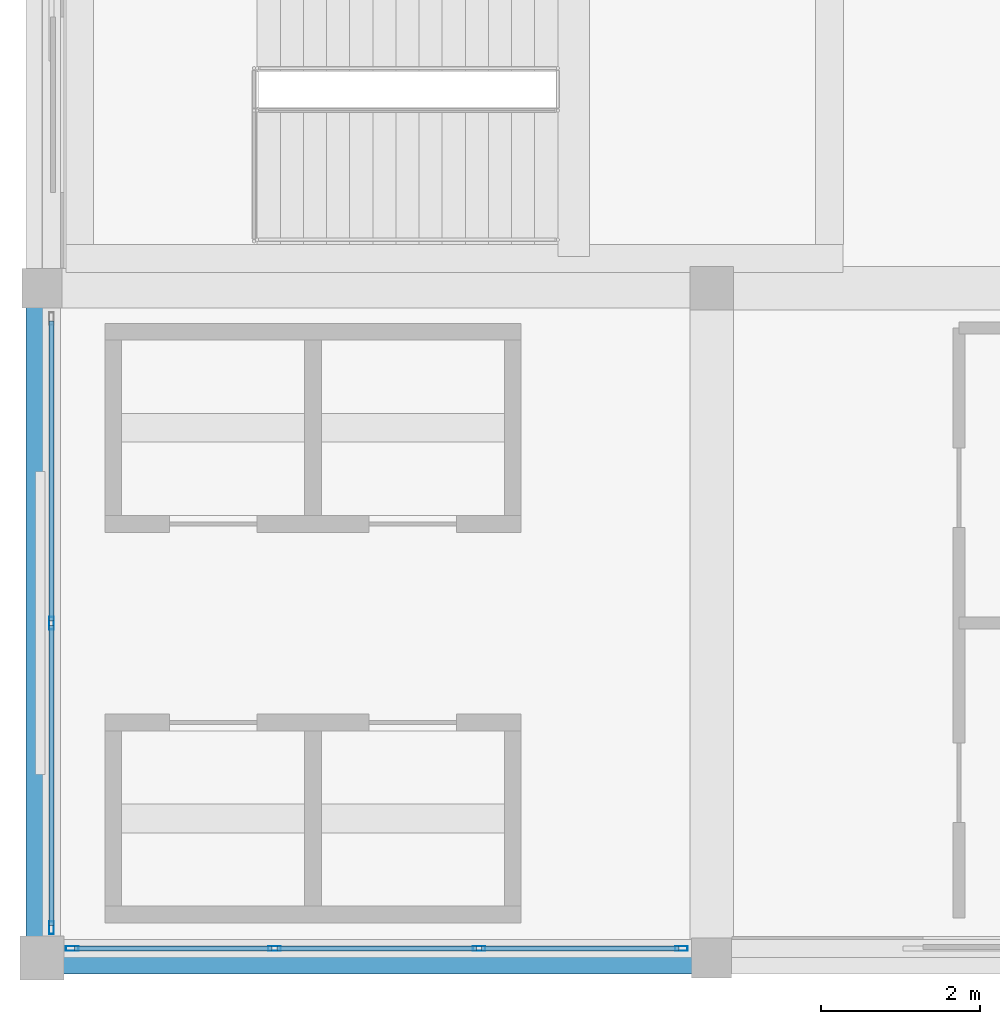
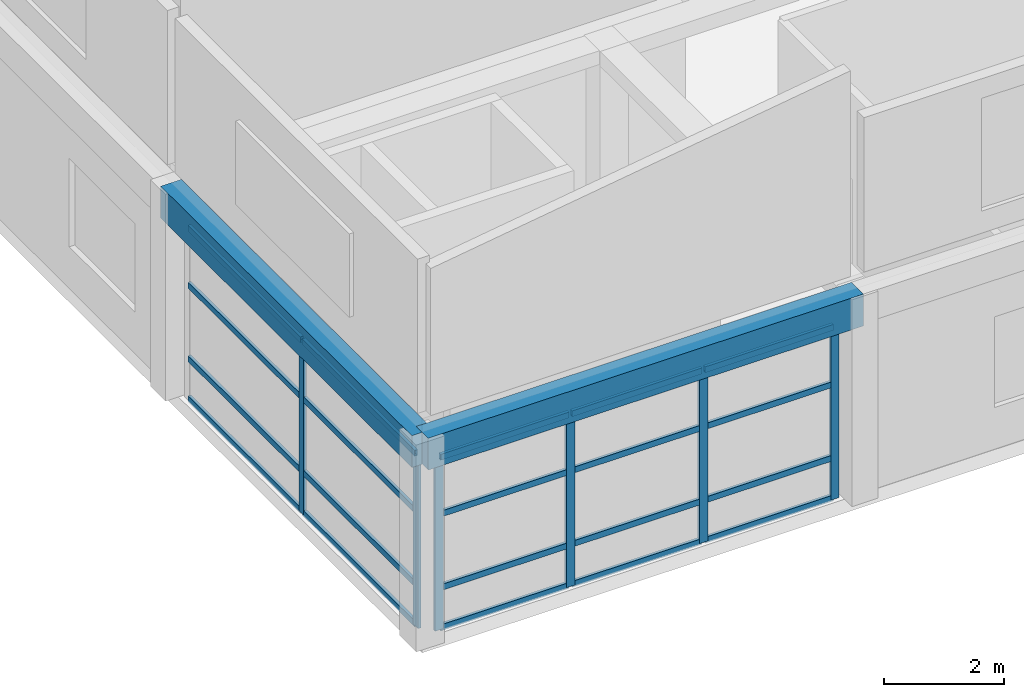
# One storey, part 2 of 17: 26 members, 2 beams, 2 elements without a shape of their own.
"""IFC4 building model written with IfcOpenShell, lengths in metres."""

from ifc_helpers import new_model, si_unit, direction, frame, origin, origin_2d, place, context, subcontext, project, spatial, rectangle, hollow_rectangle, extrude, material, material_profile, profile_set, type_object, element, aggregate, save


model = new_model("IFC4")

# Units and contexts
model_context = context("Model", 3, precision=1e-05, world=origin(), true_north=direction((0.0, 1.0)))
body_context = subcontext(model_context, "Body", "Model", "MODEL_VIEW")
ifc_project = project(units=[si_unit("LENGTHUNIT", "METRE"), si_unit("AREAUNIT", "SQUARE_METRE"), si_unit("VOLUMEUNIT", "CUBIC_METRE"), si_unit("PLANEANGLEUNIT", "RADIAN"), si_unit("MASSUNIT", "GRAM", prefix="KILO")], contexts=[model_context])

# Site, building, storey
site_placement = place(None, origin())
site = spatial("IfcSite", under=ifc_project, at=site_placement, CompositionType="ELEMENT")
building_placement = place(site_placement, origin())
building = spatial("IfcBuilding", under=site, at=building_placement, Name="Almacenes y Pasaje Nevantli", CompositionType="ELEMENT")
storey_placement = place(building_placement, frame((0.0, 0.0, 66.699951171875)))
storey = spatial("IfcBuildingStorey", under=building, at=storey_placement, Name="L16", CompositionType="ELEMENT", Elevation=66.699951171875)

# Beams
ifc_material_1 = material(Name="Concrete C35/45", Category="concrete")
ifc_material_profile_1 = material_profile(ifc_material_1, rectangle(XDim=0.39990234375, YDim=0.64990234375, at=origin_2d()), Name="RC-BM-400x650")
ifc_profile_set_1 = profile_set([ifc_material_profile_1], Name="Concrete C35/45")
beam_type = type_object("IfcBeamType", Name="BM-RC-400x650", PredefinedType="SPANDREL", material=ifc_profile_set_1)
beam_1_placement = place(storey_placement, frame((117.60009765625, 67.199951171875, 3.89501953125), z_axis=(1.0, 0.0, 0.0), x_axis=(0.0, 1.0, 0.0)))
element("IfcBeam", 1, at=beam_1_placement, inside=storey, type_object=beam_type, Name="L16 East-West Reinforced Concrete Beam #4043", PredefinedType="SPANDREL", context=body_context, shape_type="SweptSolid", body=[
    extrude(rectangle(XDim=0.39990234375, YDim=0.64990234375, at=origin_2d()), origin(), (0.0, 0.0, 1.0), 8.39990234375),
])
beam_2_placement = place(storey_placement, frame((117.60009765625, 67.199951171875, 3.89501953125), z_axis=(0.0, 1.0, 0.0), x_axis=(-1.0, 0.0, 0.0)))
element("IfcBeam", 2, at=beam_2_placement, inside=storey, type_object=beam_type, Name="L16 North-South Reinforced Concrete Beam #4055", PredefinedType="SPANDREL", context=body_context, shape_type="SweptSolid", body=[
    extrude(rectangle(XDim=0.39990234375, YDim=0.64990234375, at=origin_2d()), origin(), (0.0, 0.0, 1.0), 8.400146484375),
])

# Curtain wall, members
ifc_material_2 = material(Name="Thermally Broken Aluminium and Low-E Glass", Category="aluminium")
curtain_wall_type = type_object("IfcCurtainWallType", Name="CW-UNIT-TOWER", PredefinedType="USERDEFINED", material=ifc_material_2)
curtain_wall_1_placement = place(storey_placement, origin())
curtain_wall_1 = element("IfcCurtainWall", 3, at=curtain_wall_1_placement, inside=storey, type_object=curtain_wall_type, Name="L16 Tower South Unitized Curtain Wall Bay 15", ObjectType="UNITIZED CURTAIN WALL", PredefinedType="USERDEFINED")
ifc_material_3 = material(Name="Thermally Broken Anodized Aluminium", Category="aluminium")
ifc_material_profile_2 = material_profile(ifc_material_3, hollow_rectangle(XDim=0.06005859375, YDim=0.159912109375, WallThickness=0.00390625, at=origin_2d()), Name="ALU-MUL-60x160")
ifc_profile_set_2 = profile_set([ifc_material_profile_2], Name="Thermally Broken Anodized Aluminium")
member_type_1 = type_object("IfcMemberType", Name="CW-MUL-180", PredefinedType="MULLION", material=ifc_profile_set_2)
member_1_placement = place(storey_placement, frame((117.97998046875, 67.320068359375, 0.0), z_axis=(0.0, 0.0, 1.0), x_axis=(0.0, 1.0, 0.0)))
member_1 = element("IfcMember", 4, at=member_1_placement, type_object=member_type_1, Name="CW-L16-191 mullion 1", PredefinedType="MULLION", context=body_context, shape_type="SweptSolid", body=[
    extrude(hollow_rectangle(XDim=0.06005859375, YDim=0.159912109375, WallThickness=0.00390625, at=origin_2d()), origin(), (0.0, 0.0, 1.0), 3.5400390625),
])
member_2_placement = place(storey_placement, frame((120.5166015625, 67.320068359375, 0.0), z_axis=(0.0, 0.0, 1.0), x_axis=(0.0, 1.0, 0.0)))
member_2 = element("IfcMember", 5, at=member_2_placement, type_object=member_type_1, Name="CW-L16-191 mullion 2", PredefinedType="MULLION", context=body_context, shape_type="SweptSolid", body=[
    extrude(hollow_rectangle(XDim=0.06005859375, YDim=0.159912109375, WallThickness=0.00390625, at=origin_2d()), origin(), (0.0, 0.0, 1.0), 3.5400390625),
])
member_3_placement = place(storey_placement, frame((123.083251953125, 67.320068359375, 0.0), z_axis=(0.0, 0.0, 1.0), x_axis=(0.0, 1.0, 0.0)))
member_3 = element("IfcMember", 6, at=member_3_placement, type_object=member_type_1, Name="CW-L16-191 mullion 3", PredefinedType="MULLION", context=body_context, shape_type="SweptSolid", body=[
    extrude(hollow_rectangle(XDim=0.06005859375, YDim=0.159912109375, WallThickness=0.00390625, at=origin_2d()), origin(), (0.0, 0.0, 1.0), 3.5400390625),
])
member_4_placement = place(storey_placement, frame((125.6201171875, 67.320068359375, 0.0), z_axis=(0.0, 0.0, 1.0), x_axis=(0.0, 1.0, 0.0)))
member_4 = element("IfcMember", 7, at=member_4_placement, type_object=member_type_1, Name="CW-L16-191 mullion 4", PredefinedType="MULLION", context=body_context, shape_type="SweptSolid", body=[
    extrude(hollow_rectangle(XDim=0.06005859375, YDim=0.159912109375, WallThickness=0.00390625, at=origin_2d()), origin(), (0.0, 0.0, 1.0), 3.5400390625),
])

curtain_wall_2_placement = place(storey_placement, origin())
curtain_wall_2 = element("IfcCurtainWall", 8, at=curtain_wall_2_placement, inside=storey, type_object=curtain_wall_type, Name="L16 Tower West Curtain Wall Bay 9", ObjectType="UNITIZED CURTAIN WALL", PredefinedType="USERDEFINED")
member_5_placement = place(storey_placement, frame((117.719970703125, 67.580078125, 0.0), z_axis=(0.0, 0.0, 1.0), x_axis=(-1.0, 0.0, 0.0)))
member_5 = element("IfcMember", 9, at=member_5_placement, type_object=member_type_1, Name="CW-L16-194 mullion 1", PredefinedType="MULLION", context=body_context, shape_type="SweptSolid", body=[
    extrude(hollow_rectangle(XDim=0.06005859375, YDim=0.159912109375, WallThickness=0.00390625, at=origin_2d()), origin(), (0.0, 0.0, 1.0), 3.5400390625),
])
member_6_placement = place(storey_placement, frame((117.719970703125, 71.39990234375, 0.0), z_axis=(0.0, 0.0, 1.0), x_axis=(-1.0, 0.0, 0.0)))
member_6 = element("IfcMember", 10, at=member_6_placement, type_object=member_type_1, Name="CW-L16-194 mullion 2", PredefinedType="MULLION", context=body_context, shape_type="SweptSolid", body=[
    extrude(hollow_rectangle(XDim=0.06005859375, YDim=0.159912109375, WallThickness=0.00390625, at=origin_2d()), origin(), (0.0, 0.0, 1.0), 3.5400390625),
])

# Member
ifc_material_4 = material(Name="Thermally Broken Anodized Aluminium", Category="aluminium")
ifc_material_profile_3 = material_profile(ifc_material_4, hollow_rectangle(XDim=0.06005859375, YDim=0.1201171875, WallThickness=0.00341796875, at=origin_2d()), Name="ALU-TRN-60x120")
ifc_profile_set_3 = profile_set([ifc_material_profile_3], Name="Thermally Broken Anodized Aluminium")
member_type_2 = type_object("IfcMemberType", Name="CW-TRN-130", PredefinedType="USERDEFINED", material=ifc_profile_set_3)
member_7_placement = place(storey_placement, frame((118.010009765625, 67.320068359375, 0.030029296875), z_axis=(1.0, 0.0, 0.0), x_axis=(0.0, 1.0, 0.0)))
member_7 = element("IfcMember", 11, at=member_7_placement, type_object=member_type_2, Name="CW-L16-191 transom 1.1", ObjectType="TRANSOM", PredefinedType="USERDEFINED", context=body_context, shape_type="SweptSolid", body=[
    extrude(hollow_rectangle(XDim=0.06005859375, YDim=0.1201171875, WallThickness=0.00341796875, at=origin_2d()), origin(), (0.0, 0.0, 1.0), 2.4765625),
])

member_8_placement = place(storey_placement, frame((118.010009765625, 67.320068359375, 0.85009765625), z_axis=(1.0, 0.0, 0.0), x_axis=(0.0, 1.0, 0.0)))
member_8 = element("IfcMember", 12, at=member_8_placement, type_object=member_type_2, Name="CW-L16-191 transom 1.2", ObjectType="TRANSOM", PredefinedType="USERDEFINED", context=body_context, shape_type="SweptSolid", body=[
    extrude(hollow_rectangle(XDim=0.06005859375, YDim=0.1201171875, WallThickness=0.00341796875, at=origin_2d()), origin(), (0.0, 0.0, 1.0), 2.4765625),
])

member_9_placement = place(storey_placement, frame((118.010009765625, 67.320068359375, 2.35009765625), z_axis=(1.0, 0.0, 0.0), x_axis=(0.0, 1.0, 0.0)))
member_9 = element("IfcMember", 13, at=member_9_placement, type_object=member_type_2, Name="CW-L16-191 transom 1.3", ObjectType="TRANSOM", PredefinedType="USERDEFINED", context=body_context, shape_type="SweptSolid", body=[
    extrude(hollow_rectangle(XDim=0.06005859375, YDim=0.1201171875, WallThickness=0.00341796875, at=origin_2d()), origin(), (0.0, 0.0, 1.0), 2.4765625),
])

member_10_placement = place(storey_placement, frame((118.010009765625, 67.320068359375, 3.510009765625), z_axis=(1.0, 0.0, 0.0), x_axis=(0.0, 1.0, 0.0)))
member_10 = element("IfcMember", 14, at=member_10_placement, type_object=member_type_2, Name="CW-L16-191 transom 1.4", ObjectType="TRANSOM", PredefinedType="USERDEFINED", context=body_context, shape_type="SweptSolid", body=[
    extrude(hollow_rectangle(XDim=0.06005859375, YDim=0.1201171875, WallThickness=0.00341796875, at=origin_2d()), origin(), (0.0, 0.0, 1.0), 2.4765625),
])

member_11_placement = place(storey_placement, frame((120.546630859375, 67.320068359375, 0.030029296875), z_axis=(1.0, 0.0, 0.0), x_axis=(0.0, 1.0, 0.0)))
member_11 = element("IfcMember", 15, at=member_11_placement, type_object=member_type_2, Name="CW-L16-191 transom 2.1", ObjectType="TRANSOM", PredefinedType="USERDEFINED", context=body_context, shape_type="SweptSolid", body=[
    extrude(hollow_rectangle(XDim=0.06005859375, YDim=0.1201171875, WallThickness=0.00341796875, at=origin_2d()), origin(), (0.0, 0.0, 1.0), 2.506591796875),
])

member_12_placement = place(storey_placement, frame((120.546630859375, 67.320068359375, 0.85009765625), z_axis=(1.0, 0.0, 0.0), x_axis=(0.0, 1.0, 0.0)))
member_12 = element("IfcMember", 16, at=member_12_placement, type_object=member_type_2, Name="CW-L16-191 transom 2.2", ObjectType="TRANSOM", PredefinedType="USERDEFINED", context=body_context, shape_type="SweptSolid", body=[
    extrude(hollow_rectangle(XDim=0.06005859375, YDim=0.1201171875, WallThickness=0.00341796875, at=origin_2d()), origin(), (0.0, 0.0, 1.0), 2.506591796875),
])

member_13_placement = place(storey_placement, frame((120.546630859375, 67.320068359375, 2.35009765625), z_axis=(1.0, 0.0, 0.0), x_axis=(0.0, 1.0, 0.0)))
member_13 = element("IfcMember", 17, at=member_13_placement, type_object=member_type_2, Name="CW-L16-191 transom 2.3", ObjectType="TRANSOM", PredefinedType="USERDEFINED", context=body_context, shape_type="SweptSolid", body=[
    extrude(hollow_rectangle(XDim=0.06005859375, YDim=0.1201171875, WallThickness=0.00341796875, at=origin_2d()), origin(), (0.0, 0.0, 1.0), 2.506591796875),
])

member_14_placement = place(storey_placement, frame((120.546630859375, 67.320068359375, 3.510009765625), z_axis=(1.0, 0.0, 0.0), x_axis=(0.0, 1.0, 0.0)))
member_14 = element("IfcMember", 18, at=member_14_placement, type_object=member_type_2, Name="CW-L16-191 transom 2.4", ObjectType="TRANSOM", PredefinedType="USERDEFINED", context=body_context, shape_type="SweptSolid", body=[
    extrude(hollow_rectangle(XDim=0.06005859375, YDim=0.1201171875, WallThickness=0.00341796875, at=origin_2d()), origin(), (0.0, 0.0, 1.0), 2.506591796875),
])

member_15_placement = place(storey_placement, frame((123.11328125, 67.320068359375, 0.030029296875), z_axis=(1.0, 0.0, 0.0), x_axis=(0.0, 1.0, 0.0)))
member_15 = element("IfcMember", 19, at=member_15_placement, type_object=member_type_2, Name="CW-L16-191 transom 3.1", ObjectType="TRANSOM", PredefinedType="USERDEFINED", context=body_context, shape_type="SweptSolid", body=[
    extrude(hollow_rectangle(XDim=0.06005859375, YDim=0.1201171875, WallThickness=0.00341796875, at=origin_2d()), origin(), (0.0, 0.0, 1.0), 2.476806640625),
])

member_16_placement = place(storey_placement, frame((123.11328125, 67.320068359375, 0.85009765625), z_axis=(1.0, 0.0, 0.0), x_axis=(0.0, 1.0, 0.0)))
member_16 = element("IfcMember", 20, at=member_16_placement, type_object=member_type_2, Name="CW-L16-191 transom 3.2", ObjectType="TRANSOM", PredefinedType="USERDEFINED", context=body_context, shape_type="SweptSolid", body=[
    extrude(hollow_rectangle(XDim=0.06005859375, YDim=0.1201171875, WallThickness=0.00341796875, at=origin_2d()), origin(), (0.0, 0.0, 1.0), 2.476806640625),
])

member_17_placement = place(storey_placement, frame((123.11328125, 67.320068359375, 2.35009765625), z_axis=(1.0, 0.0, 0.0), x_axis=(0.0, 1.0, 0.0)))
member_17 = element("IfcMember", 21, at=member_17_placement, type_object=member_type_2, Name="CW-L16-191 transom 3.3", ObjectType="TRANSOM", PredefinedType="USERDEFINED", context=body_context, shape_type="SweptSolid", body=[
    extrude(hollow_rectangle(XDim=0.06005859375, YDim=0.1201171875, WallThickness=0.00341796875, at=origin_2d()), origin(), (0.0, 0.0, 1.0), 2.476806640625),
])

member_18_placement = place(storey_placement, frame((123.11328125, 67.320068359375, 3.510009765625), z_axis=(1.0, 0.0, 0.0), x_axis=(0.0, 1.0, 0.0)))
member_18 = element("IfcMember", 22, at=member_18_placement, type_object=member_type_2, Name="CW-L16-191 transom 3.4", ObjectType="TRANSOM", PredefinedType="USERDEFINED", context=body_context, shape_type="SweptSolid", body=[
    extrude(hollow_rectangle(XDim=0.06005859375, YDim=0.1201171875, WallThickness=0.00341796875, at=origin_2d()), origin(), (0.0, 0.0, 1.0), 2.476806640625),
])

aggregate(curtain_wall_1, [member_1, member_2, member_3, member_4, member_7, member_8, member_9, member_10, member_11, member_12, member_13, member_14, member_15, member_16, member_17, member_18])

member_19_placement = place(storey_placement, frame((117.719970703125, 67.610107421875, 0.030029296875), z_axis=(0.0, 1.0, 0.0), x_axis=(-1.0, 0.0, 0.0)))
member_19 = element("IfcMember", 23, at=member_19_placement, type_object=member_type_2, Name="CW-L16-194 transom 1.1", ObjectType="TRANSOM", PredefinedType="USERDEFINED", context=body_context, shape_type="SweptSolid", body=[
    extrude(hollow_rectangle(XDim=0.06005859375, YDim=0.1201171875, WallThickness=0.00341796875, at=origin_2d()), origin(), (0.0, 0.0, 1.0), 3.760009765625),
])

member_20_placement = place(storey_placement, frame((117.719970703125, 67.610107421875, 0.85009765625), z_axis=(0.0, 1.0, 0.0), x_axis=(-1.0, 0.0, 0.0)))
member_20 = element("IfcMember", 24, at=member_20_placement, type_object=member_type_2, Name="CW-L16-194 transom 1.2", ObjectType="TRANSOM", PredefinedType="USERDEFINED", context=body_context, shape_type="SweptSolid", body=[
    extrude(hollow_rectangle(XDim=0.06005859375, YDim=0.1201171875, WallThickness=0.00341796875, at=origin_2d()), origin(), (0.0, 0.0, 1.0), 3.760009765625),
])

member_21_placement = place(storey_placement, frame((117.719970703125, 67.610107421875, 2.35009765625), z_axis=(0.0, 1.0, 0.0), x_axis=(-1.0, 0.0, 0.0)))
member_21 = element("IfcMember", 25, at=member_21_placement, type_object=member_type_2, Name="CW-L16-194 transom 1.3", ObjectType="TRANSOM", PredefinedType="USERDEFINED", context=body_context, shape_type="SweptSolid", body=[
    extrude(hollow_rectangle(XDim=0.06005859375, YDim=0.1201171875, WallThickness=0.00341796875, at=origin_2d()), origin(), (0.0, 0.0, 1.0), 3.760009765625),
])

member_22_placement = place(storey_placement, frame((117.719970703125, 67.610107421875, 3.510009765625), z_axis=(0.0, 1.0, 0.0), x_axis=(-1.0, 0.0, 0.0)))
member_22 = element("IfcMember", 26, at=member_22_placement, type_object=member_type_2, Name="CW-L16-194 transom 1.4", ObjectType="TRANSOM", PredefinedType="USERDEFINED", context=body_context, shape_type="SweptSolid", body=[
    extrude(hollow_rectangle(XDim=0.06005859375, YDim=0.1201171875, WallThickness=0.00341796875, at=origin_2d()), origin(), (0.0, 0.0, 1.0), 3.760009765625),
])

member_23_placement = place(storey_placement, frame((117.719970703125, 71.429931640625, 0.030029296875), z_axis=(0.0, 1.0, 0.0), x_axis=(-1.0, 0.0, 0.0)))
member_23 = element("IfcMember", 27, at=member_23_placement, type_object=member_type_2, Name="CW-L16-194 transom 2.1", ObjectType="TRANSOM", PredefinedType="USERDEFINED", context=body_context, shape_type="SweptSolid", body=[
    extrude(hollow_rectangle(XDim=0.06005859375, YDim=0.1201171875, WallThickness=0.00341796875, at=origin_2d()), origin(), (0.0, 0.0, 1.0), 3.760009765625),
])

member_24_placement = place(storey_placement, frame((117.719970703125, 71.429931640625, 0.85009765625), z_axis=(0.0, 1.0, 0.0), x_axis=(-1.0, 0.0, 0.0)))
member_24 = element("IfcMember", 28, at=member_24_placement, type_object=member_type_2, Name="CW-L16-194 transom 2.2", ObjectType="TRANSOM", PredefinedType="USERDEFINED", context=body_context, shape_type="SweptSolid", body=[
    extrude(hollow_rectangle(XDim=0.06005859375, YDim=0.1201171875, WallThickness=0.00341796875, at=origin_2d()), origin(), (0.0, 0.0, 1.0), 3.760009765625),
])

member_25_placement = place(storey_placement, frame((117.719970703125, 71.429931640625, 2.35009765625), z_axis=(0.0, 1.0, 0.0), x_axis=(-1.0, 0.0, 0.0)))
member_25 = element("IfcMember", 29, at=member_25_placement, type_object=member_type_2, Name="CW-L16-194 transom 2.3", ObjectType="TRANSOM", PredefinedType="USERDEFINED", context=body_context, shape_type="SweptSolid", body=[
    extrude(hollow_rectangle(XDim=0.06005859375, YDim=0.1201171875, WallThickness=0.00341796875, at=origin_2d()), origin(), (0.0, 0.0, 1.0), 3.760009765625),
])

member_26_placement = place(storey_placement, frame((117.719970703125, 71.429931640625, 3.510009765625), z_axis=(0.0, 1.0, 0.0), x_axis=(-1.0, 0.0, 0.0)))
member_26 = element("IfcMember", 30, at=member_26_placement, type_object=member_type_2, Name="CW-L16-194 transom 2.4", ObjectType="TRANSOM", PredefinedType="USERDEFINED", context=body_context, shape_type="SweptSolid", body=[
    extrude(hollow_rectangle(XDim=0.06005859375, YDim=0.1201171875, WallThickness=0.00341796875, at=origin_2d()), origin(), (0.0, 0.0, 1.0), 3.760009765625),
])

aggregate(curtain_wall_2, [member_5, member_6, member_19, member_20, member_21, member_22, member_23, member_24, member_25, member_26])

save(model, "model.ifc")
